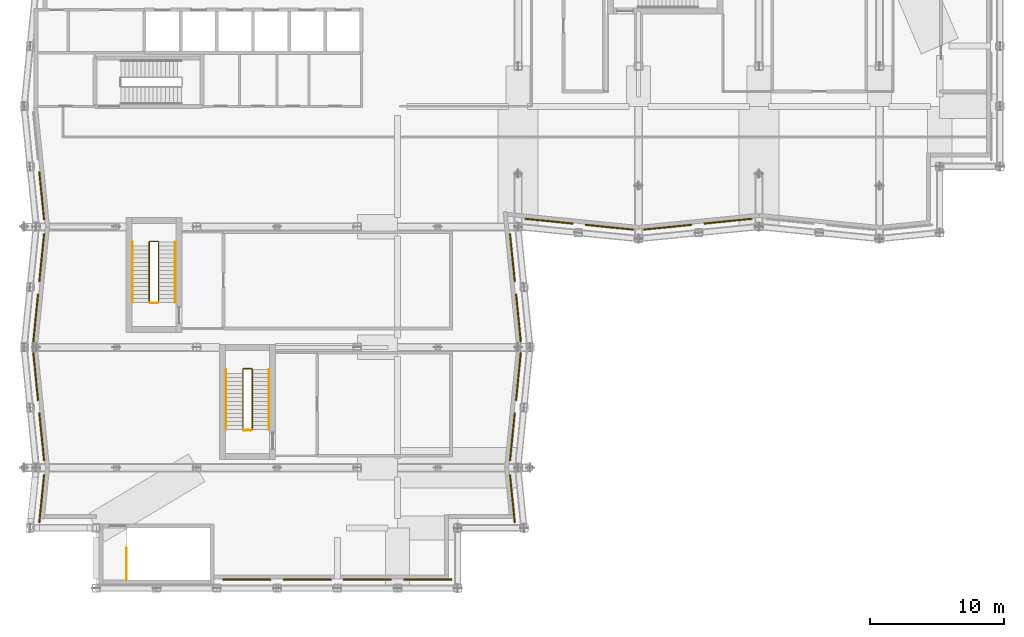
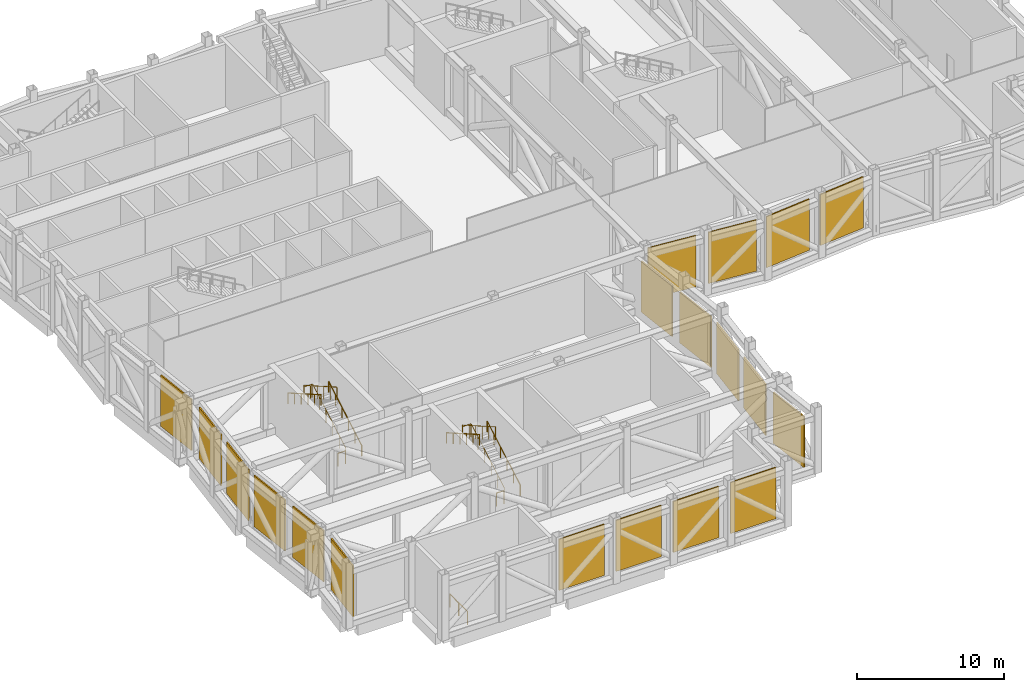
# One storey, part 19 of 22: 19 coverings, 9 railings.
"""IFC4 building model written with IfcOpenShell, lengths in metres."""

import ifcopenshell
import ifcopenshell.guid

model = None  # the IFC model being written
_history = None  # IfcOwnerHistory: only IFC2X3 demands one
_inside = {}  # id of a spatial element -> (the spatial element, [elements in it])
_under = {}  # id of a project, library or spatial element -> (it, [spatial elements below it])
_declared = {}  # id of a project -> (the project, [libraries it declares])
_typed = {}  # id of a type object -> (the type object, [elements of that type])
_made_of = {}  # id of a material, layer set ... -> (it, [elements and type objects made of it])


def new_model(schema):
    """Start an empty IFC model of exactly this schema.

    Asked for "IFC4X3", IfcOpenShell would pick the latest addendum, in which some entities
    have other attributes; the version numbers below select the first issue.
    IFC2X3 requires an IfcOwnerHistory on every rooted entity: one is made here for all.
    """
    global model, _history
    if schema == "IFC4X3":
        model = ifcopenshell.file(schema_version=(4, 3, 0, 0))
    else:
        model = ifcopenshell.file(schema=schema)
    _inside.clear()
    _under.clear()
    _declared.clear()
    _typed.clear()
    _made_of.clear()
    _history = None
    if model.schema == "IFC2X3":
        org = make("IfcOrganization", Name="unknown")
        user = make(
            "IfcPersonAndOrganization",
            ThePerson=make("IfcPerson", FamilyName="unknown"),
            TheOrganization=org,
        )
        app = make(
            "IfcApplication",
            ApplicationDeveloper=org,
            Version="unknown",
            ApplicationFullName="unknown",
            ApplicationIdentifier="unknown",
        )
        _history = make(
            "IfcOwnerHistory",
            OwningUser=user,
            OwningApplication=app,
            ChangeAction="ADDED",
            CreationDate=0,
        )
    return model


def make(cls, **values):
    """One entity of the class cls with the attributes given. An attribute that is None is left unset."""
    return model.create_entity(
        cls, **{name: value for name, value in values.items() if value is not None}
    )


def rooted(cls, **values):
    """An entity with a GlobalId (a new one), such as an element, a storey or a relation."""
    return make(cls, GlobalId=ifcopenshell.guid.new(), OwnerHistory=_history, **values)


def si_unit(unit_type, name, prefix=None):
    """IfcSIUnit, for example si_unit("LENGTHUNIT", "METRE", prefix="MILLI")."""
    return make("IfcSIUnit", UnitType=unit_type, Prefix=prefix, Name=name)


def assignment(units):
    """IfcUnitAssignment: the units of a project."""
    return None if units is None else make("IfcUnitAssignment", Units=units)


def point(xyz):
    """IfcCartesianPoint."""
    return None if xyz is None else make("IfcCartesianPoint", Coordinates=xyz)


def direction(xyz):
    """IfcDirection."""
    return None if xyz is None else make("IfcDirection", DirectionRatios=xyz)


def frame(location, z_axis=None, x_axis=None):
    """IfcAxis2Placement3D, a coordinate frame: its origin and axes. An axis left out is left unset."""
    return make(
        "IfcAxis2Placement3D",
        Location=point(location),
        Axis=direction(z_axis),
        RefDirection=direction(x_axis),
    )


def frame_2d(location, x_axis=None):
    """IfcAxis2Placement2D, a coordinate frame in the plane: its origin and x axis."""
    return make(
        "IfcAxis2Placement2D", Location=point(location), RefDirection=direction(x_axis)
    )


def origin():
    """The frame at (0, 0, 0) with its axes left unset."""
    return frame((0.0, 0.0, 0.0))


def origin_2d():
    """The frame at (0, 0) in the plane with its x axis left unset."""
    return frame_2d((0.0, 0.0))


def place(relative_to, where):
    """IfcLocalPlacement: puts the frame where relative to a parent placement (None: the world)."""
    return make(
        "IfcLocalPlacement", PlacementRelTo=relative_to, RelativePlacement=where
    )


def context(
    kind, dimensions, precision=None, world=None, true_north=None, identifier=None
):
    """IfcGeometricRepresentationContext, for example the 3D "Model" context."""
    return make(
        "IfcGeometricRepresentationContext",
        ContextIdentifier=identifier,
        ContextType=kind,
        CoordinateSpaceDimension=dimensions,
        Precision=precision,
        WorldCoordinateSystem=world,
        TrueNorth=true_north,
    )


def subcontext(parent, identifier, kind, view, scale=None):
    """IfcGeometricRepresentationSubContext, for example "Body" below "Model"."""
    return make(
        "IfcGeometricRepresentationSubContext",
        ContextIdentifier=identifier,
        ContextType=kind,
        ParentContext=parent,
        TargetScale=scale,
        TargetView=view,
    )


def project(units=None, contexts=None):
    """IfcProject with its units and contexts."""
    return rooted(
        "IfcProject",
        Name="project",
        RepresentationContexts=contexts,
        UnitsInContext=assignment(units),
    )


def spatial(cls, under=None, at=None, **own):
    """A site, building, storey or space (cls), placed at a placement, below another one or the project."""
    s = rooted(cls, ObjectPlacement=at, **own)
    if under is not None:
        _under.setdefault(under.id(), (under, []))[1].append(s)
    return s


def profile(cls, at=None, kind="AREA", **sizes):
    """A parametric profile (cls). Its sizes go by their IFC names, for example OverallWidth=200.0."""
    return make(cls, ProfileType=kind, Position=at, **sizes)


def rectangle(**sizes):
    """IfcRectangleProfileDef."""
    return profile("IfcRectangleProfileDef", **sizes)


def circle(**sizes):
    """IfcCircleProfileDef."""
    return profile("IfcCircleProfileDef", **sizes)


def extrude(swept, where, along, depth):
    """IfcExtrudedAreaSolid: the profile swept, set in the frame where, extruded along a direction by depth."""
    return make(
        "IfcExtrudedAreaSolid",
        SweptArea=swept,
        Position=where,
        ExtrudedDirection=direction(along),
        Depth=depth,
    )


def shape(context_of_items, identifier, shape_type, items):
    """IfcShapeRepresentation: the items that make up one representation, for example the "Body"."""
    return make(
        "IfcShapeRepresentation",
        ContextOfItems=context_of_items,
        RepresentationIdentifier=identifier,
        RepresentationType=shape_type,
        Items=items,
    )


def material(Name=None, Category=None):
    """IfcMaterial."""
    return make("IfcMaterial", Name=Name, Category=Category)


def layer(
    of_material, thickness, ventilated=None, Name=None, Category=None, Priority=None
):
    """IfcMaterialLayer: one layer of a wall or slab, of a material (None: an air gap)."""
    return make(
        "IfcMaterialLayer",
        Material=of_material,
        LayerThickness=thickness,
        IsVentilated=ventilated,
        Name=Name,
        Category=Category,
        Priority=Priority,
    )


def layer_set(layers, Name=None):
    """IfcMaterialLayerSet."""
    return make("IfcMaterialLayerSet", MaterialLayers=layers, LayerSetName=Name)


def made_of(thing, what):
    """Note that an element or type object is made of a material, layer set ...; save() writes the relation."""
    if what is not None:
        _made_of.setdefault(what.id(), (what, []))[1].append(thing)
    return thing


def type_object(cls, material=None, **own):
    """A type object (cls), such as IfcWallType, which elements share."""
    return made_of(rooted(cls, **own), material)


def element(
    cls,
    number,
    at=None,
    inside=None,
    cuts=None,
    type_object=None,
    material=None,
    context=None,
    identifier="Body",
    shape_type=None,
    held_by="IfcProductDefinitionShape",
    body=None,
    shapes=None,
    **own,
):
    """One element of the class cls, such as IfcWall. Its Tag is "e" and its number.

    at: its placement. inside: the storey or other place that contains it. cuts: it is an
    opening in that element (IfcRelVoidsElement). A single representation is given by context,
    identifier, shape_type and body (its items); several are given by shapes. held_by: the class
    of the entity that holds the representations. save() writes the other relations.
    """
    e = rooted(cls, Tag="e%d" % number, ObjectPlacement=at, **own)
    if body is not None:
        shapes = [shape(context, identifier, shape_type, body)]
    if shapes is not None:
        e.Representation = make(held_by, Representations=shapes)
    if inside is not None:
        _inside.setdefault(inside.id(), (inside, []))[1].append(e)
    if cuts is not None:
        rooted(
            "IfcRelVoidsElement", RelatingBuildingElement=cuts, RelatedOpeningElement=e
        )
    if type_object is not None:
        _typed.setdefault(type_object.id(), (type_object, []))[1].append(e)
    return made_of(e, material)


def aggregate(whole, parts):
    """IfcRelAggregates: a whole, such as a stair, and the parts it consists of."""
    return rooted("IfcRelAggregates", RelatingObject=whole, RelatedObjects=parts)


def save(model, path):
    """Write the relations noted so far, then the file.

    IfcRelAggregates (storeys below a building ...), IfcRelContainedInSpatialStructure (elements
    in a storey), IfcRelDefinesByType, IfcRelAssociatesMaterial and IfcRelDeclares: one each for
    every whole, place, type object, material and project.
    """
    for whole, parts in _under.values():
        aggregate(whole, parts)
    for where, things in _inside.values():
        rooted(
            "IfcRelContainedInSpatialStructure",
            RelatedElements=things,
            RelatingStructure=where,
        )
    for kind, things in _typed.values():
        rooted("IfcRelDefinesByType", RelatedObjects=things, RelatingType=kind)
    for what, things in _made_of.values():
        rooted("IfcRelAssociatesMaterial", RelatedObjects=things, RelatingMaterial=what)
    for by, libraries in _declared.values():
        rooted("IfcRelDeclares", RelatingContext=by, RelatedDefinitions=libraries)
    model.write(path)


model = new_model("IFC4")

# Units and contexts
model_context = context("Model", 3, precision=1e-05, world=origin(), true_north=direction((0.0, 1.0)))
body_context = subcontext(model_context, "Body", "Model", "MODEL_VIEW")
ifc_project = project(units=[si_unit("LENGTHUNIT", "METRE"), si_unit("AREAUNIT", "SQUARE_METRE"), si_unit("VOLUMEUNIT", "CUBIC_METRE"), si_unit("PLANEANGLEUNIT", "RADIAN"), si_unit("MASSUNIT", "GRAM", prefix="KILO")], contexts=[model_context])

# Site, building, storey
site_placement = place(None, origin())
site = spatial("IfcSite", under=ifc_project, at=site_placement, CompositionType="ELEMENT")
building_placement = place(site_placement, origin())
building = spatial("IfcBuilding", under=site, at=building_placement, Name="Brondeck Convention Tower", CompositionType="ELEMENT")
storey_placement = place(building_placement, frame((0.0, 0.0, 32.0)))
storey = spatial("IfcBuildingStorey", under=building, at=storey_placement, Name="L05", CompositionType="ELEMENT", Elevation=32.0)

# Coverings
ifc_material_1 = material(Name="Aluminium, bronze anodised", Category="aluminium")
ifc_layer = layer(ifc_material_1, 0.10009765625)
ifc_layer_set = layer_set([ifc_layer], Name="Plant wall LOUVRE cladding")
covering_type = type_object("IfcCoveringType", Name="Plant wall LOUVRE cladding", PredefinedType="CLADDING", material=ifc_layer_set)
for number, where, z_axis, x_axis, name in (
    (1, (15.75, 0.64990234375, 0.300048828125), (0.0, 0.0, 1.0), (1.0, 0.0, 0.0), "ENV-PW-L05-P0-B-S0-03"),
    (2, (20.25, 0.64990234375, 0.300048828125), (0.0, 0.0, 1.0), (1.0, 0.0, 0.0), "ENV-PW-L05-P0-B-S0-04"),
    (3, (24.75, 0.64990234375, 0.300048828125), (0.0, 0.0, 1.0), (1.0, 0.0, 0.0), "ENV-PW-L05-P0-B-S0-05"),
    (4, (29.25, 0.64990234375, 0.300048828125), (0.0, 0.0, 1.0), (1.0, 0.0, 0.0), "ENV-PW-L05-P0-B-S0-06"),
):
    element("IfcCovering", number, at=place(storey_placement, frame(where, z_axis=z_axis, x_axis=x_axis)), inside=storey, type_object=covering_type, Name=name, PredefinedType="CLADDING", context=body_context, shape_type="SweptSolid", body=[
        extrude(rectangle(XDim=3.580078125, YDim=0.10009765625, at=origin_2d()), origin(), (0.0, 0.0, 1.0), 4.25),
    ])
for number, where, z_axis, x_axis, name in (
    (5, (35.578125, 6.685302734375, 0.300048828125), (0.0, 0.0, 1.0), (-0.0995038382, 0.995037178292, 0.0), "ENV-PW-L05-P0-B-E-04"),
    (6, (35.578125, 11.314697265625, 0.300048828125), (0.0, 0.0, 1.0), (0.0995038382, 0.995037178292, 0.0), "ENV-PW-L05-P0-B-E-03"),
    (7, (36.0283203125, 15.814697265625, 0.300048828125), (0.0, 0.0, 1.0), (0.0995038382, 0.995037178292, 0.0), "ENV-PW-L05-P0-B-E-02"),
    (8, (36.0283203125, 20.185302734375, 0.300048828125), (0.0, 0.0, 1.0), (-0.0995038382, 0.995037178292, 0.0), "ENV-PW-L05-P0-B-E-01"),
    (9, (35.578125, 24.685302734375, 0.300048828125), (0.0, 0.0, 1.0), (-0.0995038382, 0.995037178292, 0.0), "ENV-PW-L05-P0-B-E-00"),
    (10, (38.314697265625, 27.421875, 0.300048828125), (0.0, 0.0, 1.0), (0.995037178292, -0.0995038382, 0.0), "ENV-PW-L05-P0-A-S-00"),
    (11, (42.814697265625, 26.9716796875, 0.300048828125), (0.0, 0.0, 1.0), (0.995037178292, -0.0995038382, 0.0), "ENV-PW-L05-P0-A-S-01"),
    (12, (47.185302734375, 26.9716796875, 0.300048828125), (0.0, 0.0, 1.0), (0.995037178292, 0.0995038382, 0.0), "ENV-PW-L05-P0-A-S-02"),
    (13, (51.685302734375, 27.421875, 0.300048828125), (0.0, 0.0, 1.0), (0.995037178292, 0.0995038382, 0.0), "ENV-PW-L05-P0-A-S-03"),
    (14, (0.421875, 29.314697265625, 0.300048828125), (0.0, 0.0, 1.0), (0.0995038382, -0.995037178292, 0.0), "ENV-PW-L05-P0-B-W-07"),
    (15, (0.421875, 24.685302734375, 0.300048828125), (0.0, 0.0, 1.0), (-0.0995038382, -0.995037178292, 0.0), "ENV-PW-L05-P0-B-W-08"),
    (16, (-0.0283203125, 20.185302734375, 0.300048828125), (0.0, 0.0, 1.0), (-0.0995038382, -0.995037178292, 0.0), "ENV-PW-L05-P0-B-W-09"),
    (17, (-0.0283203125, 15.814697265625, 0.300048828125), (0.0, 0.0, 1.0), (0.0995038382, -0.995037178292, 0.0), "ENV-PW-L05-P0-B-W-10"),
    (18, (0.421875, 11.314697265625, 0.300048828125), (0.0, 0.0, 1.0), (0.0995038382, -0.995037178292, 0.0), "ENV-PW-L05-P0-B-W-11"),
    (19, (0.421875, 6.685302734375, 0.300048828125), (0.0, 0.0, 1.0), (-0.0995038382, -0.995037178292, 0.0), "ENV-PW-L05-P0-B-W-12"),
):
    element("IfcCovering", number, at=place(storey_placement, frame(where, z_axis=z_axis, x_axis=x_axis)), inside=storey, type_object=covering_type, Name=name, PredefinedType="CLADDING", context=body_context, shape_type="SweptSolid", body=[
        extrude(rectangle(XDim=3.602294921875, YDim=0.10009765625, at=origin_2d()), origin(), (0.0, 0.0, 1.0), 4.25),
    ])

# Railings
ifc_material_2 = material(Name="Steel S355", Category="steel")
railing_type_1 = type_object("IfcRailingType", Name="Stair guard 1100", PredefinedType="GUARDRAIL", material=ifc_material_2)
railing_1_placement = place(storey_placement, frame((9.14990234375, 21.35009765625, 0.171875)))
element("IfcRailing", 20, at=railing_1_placement, inside=storey, type_object=railing_type_1, Name="L05 ST-BE stair guard 1", PredefinedType="GUARDRAIL", context=body_context, shape_type="SweptSolid", body=[
    extrude(circle(Radius=0.02392578125, at=origin_2d()), frame((0.0, 0.0, 1.076171875), z_axis=(0.0, 0.867686387293, 0.49711199272), x_axis=(-1.0, 0.0, 0.0)), (0.0, 0.0, 1.0), 5.186279296875),
    extrude(circle(Radius=0.02392578125, at=origin_2d()), frame((0.0, 4.5, 3.654296875), z_axis=(-0.707106781187, 0.707106781187, 0.0), x_axis=(-0.707106781187, -0.707106781187, 0.0)), (0.0, 0.0, 1.0), 0.0703125),
    extrude(circle(Radius=0.02392578125, at=origin_2d()), frame((-0.0498046875, 4.5498046875, 3.654296875), z_axis=(-1.0, 0.0, 0.0), x_axis=(0.0, -1.0, 0.0)), (0.0, 0.0, 1.0), 0.60009765625),
    extrude(circle(Radius=0.02392578125, at=origin_2d()), frame((-0.64990234375, 4.5498046875, 3.654296875), z_axis=(-0.26935076646, -0.268036860282, 0.924989949209), x_axis=(0.705375805398, -0.708833529934, 0.0)), (0.0, 0.0, 1.0), 0.185791015625),
    extrude(circle(Radius=0.02392578125, at=origin_2d()), frame((-0.699951171875, 4.5, 3.826171875), z_axis=(0.0, -0.867686387293, 0.49711199272), x_axis=(1.0, 0.0, 0.0)), (0.0, 0.0, 1.0), 5.186279296875),
    extrude(circle(Radius=0.02099609375, at=origin_2d()), origin(), (0.0, 0.0, 1.0), 1.052001953125),
    extrude(circle(Radius=0.02099609375, at=origin_2d()), frame((0.0, 0.89990234375, 0.515625)), (0.0, 0.0, 1.0), 1.052001953125),
    extrude(circle(Radius=0.02099609375, at=origin_2d()), frame((0.0, 1.800048828125, 1.03125)), (0.0, 0.0, 1.0), 1.052001953125),
    extrude(circle(Radius=0.02099609375, at=origin_2d()), frame((0.0, 2.699951171875, 1.546875)), (0.0, 0.0, 1.0), 1.052001953125),
    extrude(circle(Radius=0.02099609375, at=origin_2d()), frame((0.0, 3.60009765625, 2.0625)), (0.0, 0.0, 1.0), 1.052001953125),
    extrude(circle(Radius=0.02099609375, at=origin_2d()), frame((0.0, 4.5, 2.578125)), (0.0, 0.0, 1.0), 1.052001953125),
    extrude(circle(Radius=0.02099609375, at=origin_2d()), frame((-0.0498046875, 4.5498046875, 2.578125)), (0.0, 0.0, 1.0), 1.052001953125),
    extrude(circle(Radius=0.02099609375, at=origin_2d()), frame((-0.64990234375, 4.5498046875, 2.578125)), (0.0, 0.0, 1.0), 1.052001953125),
    extrude(circle(Radius=0.02099609375, at=origin_2d()), frame((-0.699951171875, 4.5, 2.75)), (0.0, 0.0, 1.0), 1.052001953125),
    extrude(circle(Radius=0.02099609375, at=origin_2d()), frame((-0.699951171875, 3.60009765625, 3.265625)), (0.0, 0.0, 1.0), 1.052001953125),
    extrude(circle(Radius=0.02099609375, at=origin_2d()), frame((-0.699951171875, 2.699951171875, 3.78125)), (0.0, 0.0, 1.0), 1.052001953125),
    extrude(circle(Radius=0.02099609375, at=origin_2d()), frame((-0.699951171875, 1.800048828125, 4.296875)), (0.0, 0.0, 1.0), 1.052001953125),
    extrude(circle(Radius=0.02099609375, at=origin_2d()), frame((-0.699951171875, 0.89990234375, 4.8125)), (0.0, 0.0, 1.0), 1.052001953125),
    extrude(circle(Radius=0.02099609375, at=origin_2d()), frame((-0.699951171875, 0.0, 5.328125)), (0.0, 0.0, 1.0), 1.052001953125),
])
railing_2_placement = place(storey_placement, frame((9.10009765625, 21.300048828125, 0.0)))
element("IfcRailing", 21, at=railing_2_placement, inside=storey, type_object=railing_type_1, Name="L05 ST-BE stair guard 2", PredefinedType="GUARDRAIL", context=body_context, shape_type="SweptSolid", body=[
    extrude(circle(Radius=0.02392578125, at=origin_2d()), frame((0.0, 0.0, 1.076171875), z_axis=(-1.0, 0.0, 0.0), x_axis=(0.0, -1.0, 0.0)), (0.0, 0.0, 1.0), 0.60009765625),
    extrude(circle(Radius=0.02099609375, at=origin_2d()), origin(), (0.0, 0.0, 1.0), 1.052001953125),
    extrude(circle(Radius=0.02099609375, at=origin_2d()), frame((-0.60009765625, 0.0, 0.0)), (0.0, 0.0, 1.0), 1.052001953125),
])
railing_3_placement = place(storey_placement, frame((16.14990234375, 11.85009765625, 0.171875)))
element("IfcRailing", 22, at=railing_3_placement, inside=storey, type_object=railing_type_1, Name="L05 ST-BF stair guard 1", PredefinedType="GUARDRAIL", context=body_context, shape_type="SweptSolid", body=[
    extrude(circle(Radius=0.02392578125, at=origin_2d()), frame((0.0, 0.0, 1.076171875), z_axis=(0.0, 0.867686387293, 0.49711199272), x_axis=(-1.0, 0.0, 0.0)), (0.0, 0.0, 1.0), 5.186279296875),
    extrude(circle(Radius=0.02392578125, at=origin_2d()), frame((0.0, 4.5, 3.654296875), z_axis=(-0.707106781187, 0.707106781187, 0.0), x_axis=(-0.707106781187, -0.707106781187, 0.0)), (0.0, 0.0, 1.0), 0.0703125),
    extrude(circle(Radius=0.02392578125, at=origin_2d()), frame((-0.0498046875, 4.5498046875, 3.654296875), z_axis=(-1.0, 0.0, 0.0), x_axis=(0.0, -1.0, 0.0)), (0.0, 0.0, 1.0), 0.60009765625),
    extrude(circle(Radius=0.02392578125, at=origin_2d()), frame((-0.64990234375, 4.5498046875, 3.654296875), z_axis=(-0.26935076646, -0.268036860282, 0.924989949209), x_axis=(0.705375805398, -0.708833529934, 0.0)), (0.0, 0.0, 1.0), 0.185791015625),
    extrude(circle(Radius=0.02392578125, at=origin_2d()), frame((-0.699951171875, 4.5, 3.826171875), z_axis=(0.0, -0.867686387293, 0.49711199272), x_axis=(1.0, 0.0, 0.0)), (0.0, 0.0, 1.0), 5.186279296875),
    extrude(circle(Radius=0.02099609375, at=origin_2d()), origin(), (0.0, 0.0, 1.0), 1.052001953125),
    extrude(circle(Radius=0.02099609375, at=origin_2d()), frame((0.0, 0.89990234375, 0.515625)), (0.0, 0.0, 1.0), 1.052001953125),
    extrude(circle(Radius=0.02099609375, at=origin_2d()), frame((0.0, 1.800048828125, 1.03125)), (0.0, 0.0, 1.0), 1.052001953125),
    extrude(circle(Radius=0.02099609375, at=origin_2d()), frame((0.0, 2.699951171875, 1.546875)), (0.0, 0.0, 1.0), 1.052001953125),
    extrude(circle(Radius=0.02099609375, at=origin_2d()), frame((0.0, 3.60009765625, 2.0625)), (0.0, 0.0, 1.0), 1.052001953125),
    extrude(circle(Radius=0.02099609375, at=origin_2d()), frame((0.0, 4.5, 2.578125)), (0.0, 0.0, 1.0), 1.052001953125),
    extrude(circle(Radius=0.02099609375, at=origin_2d()), frame((-0.0498046875, 4.5498046875, 2.578125)), (0.0, 0.0, 1.0), 1.052001953125),
    extrude(circle(Radius=0.02099609375, at=origin_2d()), frame((-0.64990234375, 4.5498046875, 2.578125)), (0.0, 0.0, 1.0), 1.052001953125),
    extrude(circle(Radius=0.02099609375, at=origin_2d()), frame((-0.699951171875, 4.5, 2.75)), (0.0, 0.0, 1.0), 1.052001953125),
    extrude(circle(Radius=0.02099609375, at=origin_2d()), frame((-0.699951171875, 3.60009765625, 3.265625)), (0.0, 0.0, 1.0), 1.052001953125),
    extrude(circle(Radius=0.02099609375, at=origin_2d()), frame((-0.699951171875, 2.699951171875, 3.78125)), (0.0, 0.0, 1.0), 1.052001953125),
    extrude(circle(Radius=0.02099609375, at=origin_2d()), frame((-0.699951171875, 1.800048828125, 4.296875)), (0.0, 0.0, 1.0), 1.052001953125),
    extrude(circle(Radius=0.02099609375, at=origin_2d()), frame((-0.699951171875, 0.89990234375, 4.8125)), (0.0, 0.0, 1.0), 1.052001953125),
    extrude(circle(Radius=0.02099609375, at=origin_2d()), frame((-0.699951171875, 0.0, 5.328125)), (0.0, 0.0, 1.0), 1.052001953125),
])
railing_4_placement = place(storey_placement, frame((16.10009765625, 11.800048828125, 0.0)))
element("IfcRailing", 23, at=railing_4_placement, inside=storey, type_object=railing_type_1, Name="L05 ST-BF stair guard 2", PredefinedType="GUARDRAIL", context=body_context, shape_type="SweptSolid", body=[
    extrude(circle(Radius=0.02392578125, at=origin_2d()), frame((0.0, 0.0, 1.076171875), z_axis=(-1.0, 0.0, 0.0), x_axis=(0.0, -1.0, 0.0)), (0.0, 0.0, 1.0), 0.60009765625),
    extrude(circle(Radius=0.02099609375, at=origin_2d()), origin(), (0.0, 0.0, 1.0), 1.052001953125),
    extrude(circle(Radius=0.02099609375, at=origin_2d()), frame((-0.60009765625, 0.0, 0.0)), (0.0, 0.0, 1.0), 1.052001953125),
])
railing_5_placement = place(storey_placement, frame((6.75, 0.60009765625, 0.0)))
element("IfcRailing", 24, at=railing_5_placement, inside=storey, type_object=railing_type_1, Name="L05 PS-2 top well guard 1", PredefinedType="GUARDRAIL", context=body_context, shape_type="SweptSolid", body=[
    extrude(circle(Radius=0.02392578125, at=origin_2d()), frame((0.0, 0.0, 1.076171875), z_axis=(0.0, 1.0, 0.0), x_axis=(-1.0, 0.0, 0.0)), (0.0, 0.0, 1.0), 2.39990234375),
    extrude(circle(Radius=0.02099609375, at=origin_2d()), origin(), (0.0, 0.0, 1.0), 1.052001953125),
    extrude(circle(Radius=0.02099609375, at=origin_2d()), frame((0.0, 1.199951171875, 0.0)), (0.0, 0.0, 1.0), 1.052001953125),
    extrude(circle(Radius=0.02099609375, at=origin_2d()), frame((0.0, 2.39990234375, 0.0)), (0.0, 0.0, 1.0), 1.052001953125),
])
railing_type_2 = type_object("IfcRailingType", Name="Stair handrail", PredefinedType="HANDRAIL", material=ifc_material_2)
railing_6_placement = place(storey_placement, frame((10.39990234375, 21.35009765625, 0.171875)))
element("IfcRailing", 25, at=railing_6_placement, inside=storey, type_object=railing_type_2, Name="L05 ST-BE stair handrail 1", PredefinedType="HANDRAIL", context=body_context, shape_type="SweptSolid", body=[
    extrude(circle(Radius=0.02392578125, at=origin_2d()), frame((0.0, 0.0, 0.8759765625), z_axis=(0.0, 0.867686387293, 0.49711199272), x_axis=(-1.0, 0.0, 0.0)), (0.0, 0.0, 1.0), 5.186279296875),
    extrude(circle(Radius=0.02099609375, at=origin_2d()), origin(), (0.0, 0.0, 1.0), 0.851806640625),
    extrude(circle(Radius=0.02099609375, at=origin_2d()), frame((0.0, 0.89990234375, 0.515625)), (0.0, 0.0, 1.0), 0.851806640625),
    extrude(circle(Radius=0.02099609375, at=origin_2d()), frame((0.0, 1.800048828125, 1.03125)), (0.0, 0.0, 1.0), 0.851806640625),
    extrude(circle(Radius=0.02099609375, at=origin_2d()), frame((0.0, 2.699951171875, 1.546875)), (0.0, 0.0, 1.0), 0.851806640625),
    extrude(circle(Radius=0.02099609375, at=origin_2d()), frame((0.0, 3.60009765625, 2.0625)), (0.0, 0.0, 1.0), 0.851806640625),
    extrude(circle(Radius=0.02099609375, at=origin_2d()), frame((0.0, 4.5, 2.578125)), (0.0, 0.0, 1.0), 0.851806640625),
])
railing_7_placement = place(storey_placement, frame((7.199951171875, 25.85009765625, 2.921875)))
element("IfcRailing", 26, at=railing_7_placement, inside=storey, type_object=railing_type_2, Name="L05 ST-BE stair handrail 2", PredefinedType="HANDRAIL", context=body_context, shape_type="SweptSolid", body=[
    extrude(circle(Radius=0.02392578125, at=origin_2d()), frame((0.0, 0.0, 0.8759765625), z_axis=(0.0, -0.867686387293, 0.49711199272), x_axis=(1.0, 0.0, 0.0)), (0.0, 0.0, 1.0), 5.186279296875),
    extrude(circle(Radius=0.02099609375, at=origin_2d()), origin(), (0.0, 0.0, 1.0), 0.851806640625),
    extrude(circle(Radius=0.02099609375, at=origin_2d()), frame((0.0, -0.89990234375, 0.515625)), (0.0, 0.0, 1.0), 0.851806640625),
    extrude(circle(Radius=0.02099609375, at=origin_2d()), frame((0.0, -1.800048828125, 1.03125)), (0.0, 0.0, 1.0), 0.851806640625),
    extrude(circle(Radius=0.02099609375, at=origin_2d()), frame((0.0, -2.699951171875, 1.546875)), (0.0, 0.0, 1.0), 0.851806640625),
    extrude(circle(Radius=0.02099609375, at=origin_2d()), frame((0.0, -3.60009765625, 2.0625)), (0.0, 0.0, 1.0), 0.851806640625),
    extrude(circle(Radius=0.02099609375, at=origin_2d()), frame((0.0, -4.5, 2.578125)), (0.0, 0.0, 1.0), 0.851806640625),
])
railing_8_placement = place(storey_placement, frame((17.39990234375, 11.85009765625, 0.171875)))
element("IfcRailing", 27, at=railing_8_placement, inside=storey, type_object=railing_type_2, Name="L05 ST-BF stair handrail 1", PredefinedType="HANDRAIL", context=body_context, shape_type="SweptSolid", body=[
    extrude(circle(Radius=0.02392578125, at=origin_2d()), frame((0.0, 0.0, 0.8759765625), z_axis=(0.0, 0.867686387293, 0.49711199272), x_axis=(-1.0, 0.0, 0.0)), (0.0, 0.0, 1.0), 5.186279296875),
    extrude(circle(Radius=0.02099609375, at=origin_2d()), origin(), (0.0, 0.0, 1.0), 0.851806640625),
    extrude(circle(Radius=0.02099609375, at=origin_2d()), frame((0.0, 0.89990234375, 0.515625)), (0.0, 0.0, 1.0), 0.851806640625),
    extrude(circle(Radius=0.02099609375, at=origin_2d()), frame((0.0, 1.800048828125, 1.03125)), (0.0, 0.0, 1.0), 0.851806640625),
    extrude(circle(Radius=0.02099609375, at=origin_2d()), frame((0.0, 2.699951171875, 1.546875)), (0.0, 0.0, 1.0), 0.851806640625),
    extrude(circle(Radius=0.02099609375, at=origin_2d()), frame((0.0, 3.60009765625, 2.0625)), (0.0, 0.0, 1.0), 0.851806640625),
    extrude(circle(Radius=0.02099609375, at=origin_2d()), frame((0.0, 4.5, 2.578125)), (0.0, 0.0, 1.0), 0.851806640625),
])
railing_9_placement = place(storey_placement, frame((14.199951171875, 16.35009765625, 2.921875)))
element("IfcRailing", 28, at=railing_9_placement, inside=storey, type_object=railing_type_2, Name="L05 ST-BF stair handrail 2", PredefinedType="HANDRAIL", context=body_context, shape_type="SweptSolid", body=[
    extrude(circle(Radius=0.02392578125, at=origin_2d()), frame((0.0, 0.0, 0.8759765625), z_axis=(0.0, -0.867686387293, 0.49711199272), x_axis=(1.0, 0.0, 0.0)), (0.0, 0.0, 1.0), 5.186279296875),
    extrude(circle(Radius=0.02099609375, at=origin_2d()), origin(), (0.0, 0.0, 1.0), 0.851806640625),
    extrude(circle(Radius=0.02099609375, at=origin_2d()), frame((0.0, -0.89990234375, 0.515625)), (0.0, 0.0, 1.0), 0.851806640625),
    extrude(circle(Radius=0.02099609375, at=origin_2d()), frame((0.0, -1.800048828125, 1.03125)), (0.0, 0.0, 1.0), 0.851806640625),
    extrude(circle(Radius=0.02099609375, at=origin_2d()), frame((0.0, -2.699951171875, 1.546875)), (0.0, 0.0, 1.0), 0.851806640625),
    extrude(circle(Radius=0.02099609375, at=origin_2d()), frame((0.0, -3.60009765625, 2.0625)), (0.0, 0.0, 1.0), 0.851806640625),
    extrude(circle(Radius=0.02099609375, at=origin_2d()), frame((0.0, -4.5, 2.578125)), (0.0, 0.0, 1.0), 0.851806640625),
])

save(model, "model.ifc")
